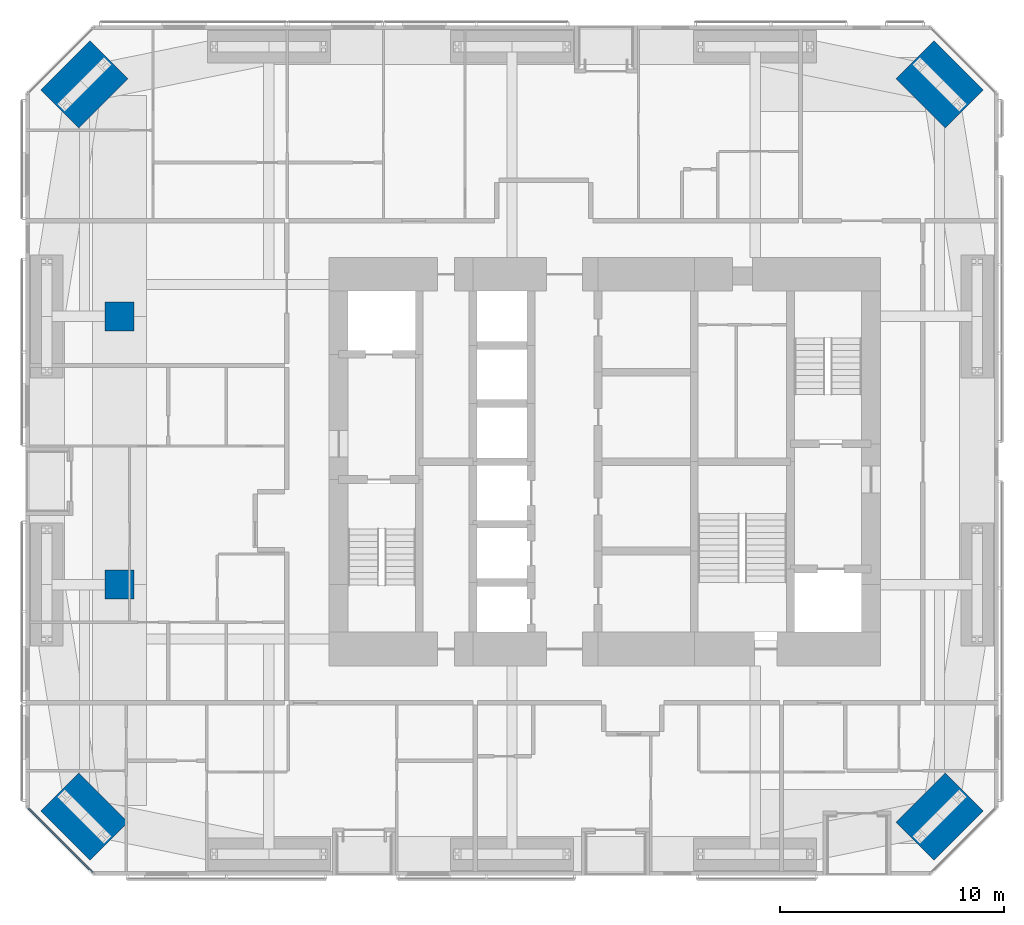
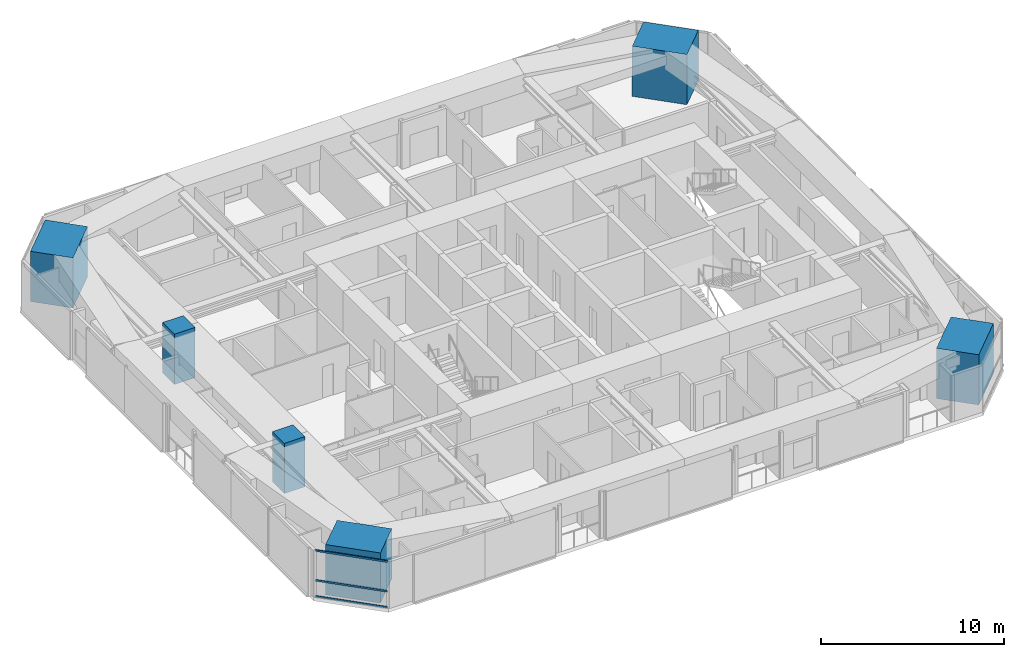
# One storey, part 1 of 23: 6 columns, 3 members, 1 element without a shape of its own.
"""IFC4 building model written with IfcOpenShell, lengths in metres."""

from ifc_helpers import new_model, si_unit, direction, frame, origin, origin_2d, place, context, subcontext, project, spatial, rectangle, extrude, material, material_profile, profile_set, type_object, element, aggregate, save


model = new_model("IFC4")

# Units and contexts
model_context = context("Model", 3, precision=1e-05, world=origin(), true_north=direction((0.0, 1.0)))
body_context = subcontext(model_context, "Body", "Model", "MODEL_VIEW")
ifc_project = project(units=[si_unit("LENGTHUNIT", "METRE"), si_unit("AREAUNIT", "SQUARE_METRE"), si_unit("VOLUMEUNIT", "CUBIC_METRE"), si_unit("PLANEANGLEUNIT", "RADIAN"), si_unit("MASSUNIT", "GRAM", prefix="KILO")], contexts=[model_context])

# Site, building, storey
site_placement = place(None, origin())
site = spatial("IfcSite", under=ifc_project, at=site_placement, CompositionType="ELEMENT")
building_placement = place(site_placement, origin())
building = spatial("IfcBuilding", under=site, at=building_placement, Name="Jalousie Tower", CompositionType="ELEMENT")
storey_placement = place(building_placement, frame((0.0, 0.0, 104.85009765625)))
storey = spatial("IfcBuildingStorey", under=building, at=storey_placement, Name="L28", CompositionType="ELEMENT", Elevation=104.85009765625)

# Columns
ifc_material_1 = material(Name="Concrete f'c 120 MPa", Category="concrete")
ifc_material_profile_1 = material_profile(ifc_material_1, rectangle(XDim=1.300048828125, YDim=1.300048828125, at=origin_2d()), Name="RC 1300x1300")
ifc_profile_set_1 = profile_set([ifc_material_profile_1], Name="Concrete f'c 120 MPa")
column_type_1 = type_object("IfcColumnType", Name="RC COLUMN 1300x1300", PredefinedType="COLUMN", material=ifc_profile_set_1)
for number, where, z_axis, x_axis, name in (
    (1, (10.199951171875, 13.0, 0.0), (0.0, 0.0, 1.0), (1.0, 0.0, 0.0), "Interior column IB1 L28"),
    (2, (10.199951171875, 25.0, 0.0), (0.0, 0.0, 1.0), (1.0, 0.0, 0.0), "Interior column IB2 L28"),
):
    element("IfcColumn", number, at=place(storey_placement, frame(where, z_axis=z_axis, x_axis=x_axis)), inside=storey, type_object=column_type_1, Name=name, PredefinedType="COLUMN", context=body_context, shape_type="SweptSolid", body=[
        extrude(rectangle(XDim=1.300048828125, YDim=1.300048828125, at=origin_2d()), origin(), (0.0, 0.0, 1.0), 3.349853515625),
    ])
ifc_material_2 = material(Name="Concrete f'c 120 MPa", Category="concrete")
ifc_material_profile_2 = material_profile(ifc_material_2, rectangle(XDim=2.39990234375, YDim=3.10009765625, at=origin_2d()), Name="RC 2400x3100")
ifc_profile_set_2 = profile_set([ifc_material_profile_2], Name="Concrete f'c 120 MPa")
column_type_2 = type_object("IfcColumnType", Name="RC CORNER COLUMN 2400x3100", PredefinedType="COLUMN", material=ifc_profile_set_2)
for number, where, z_axis, x_axis, name in (
    (3, (8.63134765625, 2.63134765625, 0.0), (0.0, 0.0, 1.0), (0.707106781187, 0.707106781187, 0.0), "Corner column 01 L28"),
    (4, (46.86865234375, 2.63134765625, 0.0), (0.0, 0.0, 1.0), (-0.707106781187, 0.707106781187, 0.0), "Corner column 05 L28"),
    (5, (46.86865234375, 35.36865234375, 0.0), (0.0, 0.0, 1.0), (-0.707106781187, -0.707106781187, 0.0), "Corner column 08 L28"),
    (6, (8.63134765625, 35.36865234375, 0.0), (0.0, 0.0, 1.0), (0.707106781187, -0.707106781187, 0.0), "Corner column 12 L28"),
):
    element("IfcColumn", number, at=place(storey_placement, frame(where, z_axis=z_axis, x_axis=x_axis)), inside=storey, type_object=column_type_2, Name=name, PredefinedType="COLUMN", context=body_context, shape_type="SweptSolid", body=[
        extrude(rectangle(XDim=2.39990234375, YDim=3.10009765625, at=origin_2d()), origin(), (0.0, 0.0, 1.0), 3.349853515625),
    ])

# Curtain wall, members
ifc_material_3 = material(Name="Aluminium curtain wall", Category="aluminium")
curtain_wall_type = type_object("IfcCurtainWallType", Name="CORNER WINDOW WALL", PredefinedType="USERDEFINED", material=ifc_material_3)
curtain_wall_placement = place(storey_placement, origin())
curtain_wall = element("IfcCurtainWall", 7, at=curtain_wall_placement, inside=storey, type_object=curtain_wall_type, Name="Corner Window Wall L28 8", ObjectType="CORNER WINDOW WALL", PredefinedType="USERDEFINED")
ifc_material_4 = material(Name="Aluminium transom", Category="aluminium")
ifc_material_profile_3 = material_profile(ifc_material_4, rectangle(XDim=0.06005859375, YDim=0.1201171875, at=origin_2d()), Name="TRANSOM 60x120")
ifc_profile_set_3 = profile_set([ifc_material_profile_3], Name="Aluminium transom")
member_type = type_object("IfcMemberType", Name="CORNER WINDOW WALL TRANSOM", PredefinedType="USERDEFINED", material=ifc_profile_set_3)
member_1_placement = place(storey_placement, frame((6.1298828125, 3.0087890625, 0.02978515625), z_axis=(0.707106781187, -0.707106781187, 0.0), x_axis=(0.707106781187, 0.707106781187, 0.0)))
member_1 = element("IfcMember", 8, at=member_1_placement, type_object=member_type, Name="CW-C transom 1.1", ObjectType="TRANSOM", PredefinedType="USERDEFINED", context=body_context, shape_type="SweptSolid", body=[
    extrude(rectangle(XDim=0.06005859375, YDim=0.1201171875, at=origin_2d()), origin(), (0.0, 0.0, 1.0), 4.0712890625),
])
member_2_placement = place(storey_placement, frame((6.1298828125, 3.0087890625, 1.099853515625), z_axis=(0.707106781187, -0.707106781187, 0.0), x_axis=(0.707106781187, 0.707106781187, 0.0)))
member_2 = element("IfcMember", 9, at=member_2_placement, type_object=member_type, Name="CW-C transom 1.2", ObjectType="TRANSOM", PredefinedType="USERDEFINED", context=body_context, shape_type="SweptSolid", body=[
    extrude(rectangle(XDim=0.06005859375, YDim=0.1201171875, at=origin_2d()), origin(), (0.0, 0.0, 1.0), 4.0712890625),
])
member_3_placement = place(storey_placement, frame((6.1298828125, 3.0087890625, 3.079833984375), z_axis=(0.707106781187, -0.707106781187, 0.0), x_axis=(0.707106781187, 0.707106781187, 0.0)))
member_3 = element("IfcMember", 10, at=member_3_placement, type_object=member_type, Name="CW-C transom 1.3", ObjectType="TRANSOM", PredefinedType="USERDEFINED", context=body_context, shape_type="SweptSolid", body=[
    extrude(rectangle(XDim=0.06005859375, YDim=0.1201171875, at=origin_2d()), origin(), (0.0, 0.0, 1.0), 4.0712890625),
])
aggregate(curtain_wall, [member_1, member_2, member_3])

save(model, "model.ifc")
